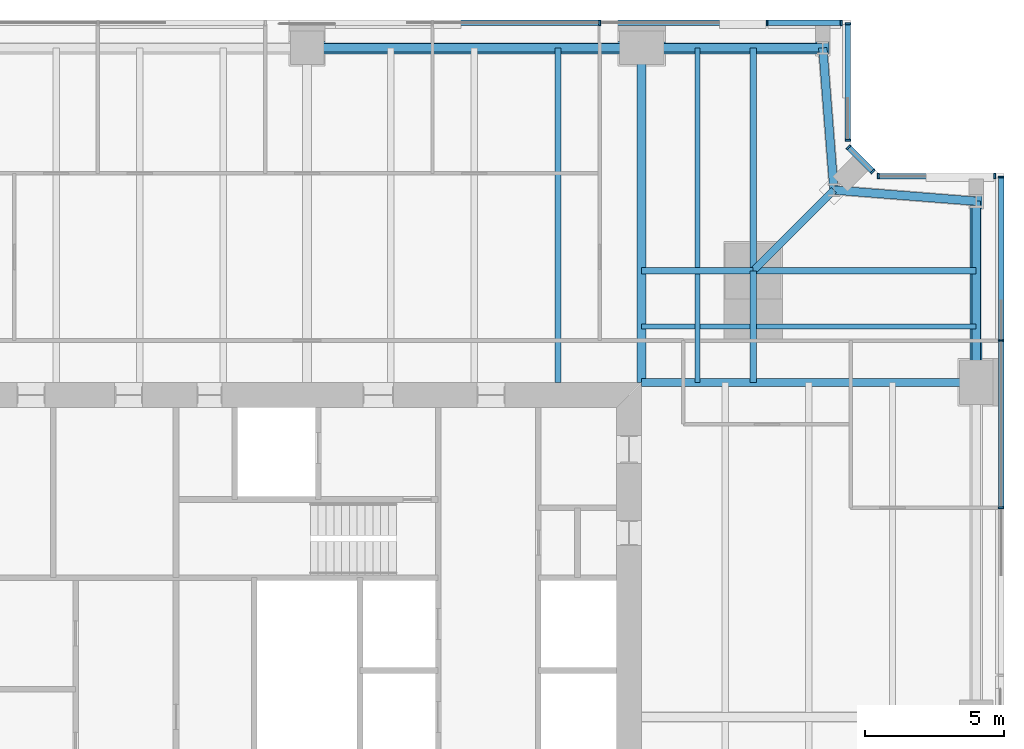
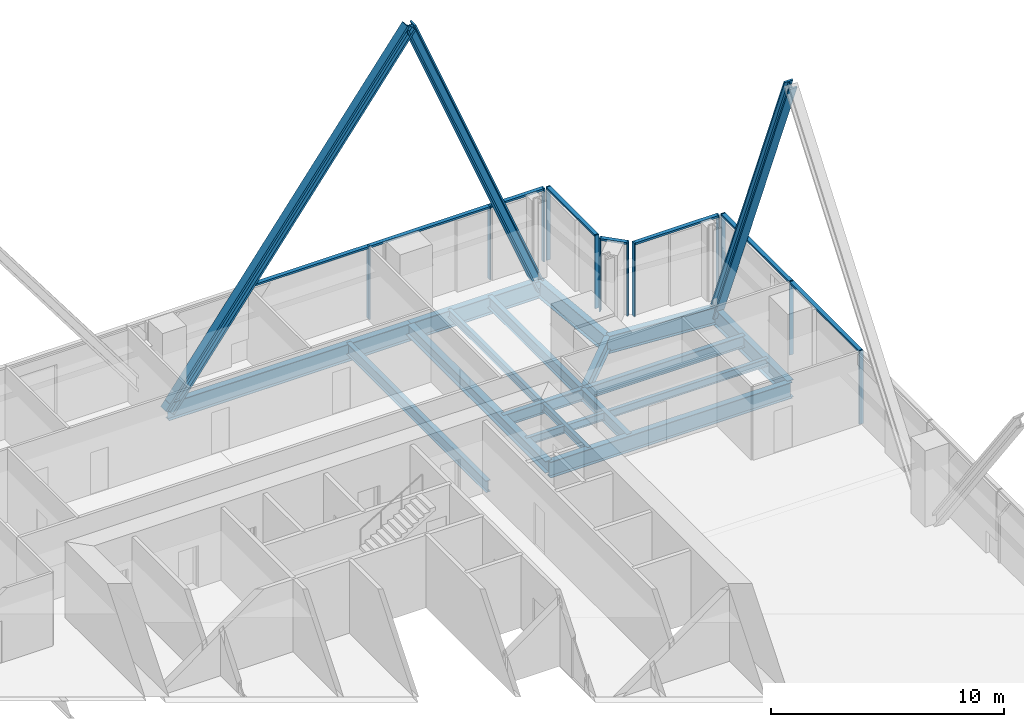
# One storey, part 7 of 14: 23 members, 18 beams, 5 elements without a shape of their own.
"""IFC4 building model written with IfcOpenShell, lengths in metres."""

from ifc_helpers import new_model, si_unit, direction, frame, origin, origin_2d, place, context, subcontext, project, spatial, rectangle, i_section, extrude, material, material_profile, profile_set, type_object, element, aggregate, save


model = new_model("IFC4")

# Units and contexts
model_context = context("Model", 3, precision=1e-05, world=origin(), true_north=direction((0.0, 1.0)))
body_context = subcontext(model_context, "Body", "Model", "MODEL_VIEW")
ifc_project = project(units=[si_unit("LENGTHUNIT", "METRE"), si_unit("AREAUNIT", "SQUARE_METRE"), si_unit("VOLUMEUNIT", "CUBIC_METRE"), si_unit("PLANEANGLEUNIT", "RADIAN"), si_unit("MASSUNIT", "GRAM", prefix="KILO")], contexts=[model_context])

# Site, building, storey
site_placement = place(None, origin())
site = spatial("IfcSite", under=ifc_project, at=site_placement, CompositionType="ELEMENT")
building_placement = place(site_placement, origin())
building = spatial("IfcBuilding", under=site, at=building_placement, Name="Fenwick Lantern Interchange", CompositionType="ELEMENT")
storey_placement = place(building_placement, frame((0.0, 0.0, 185.800048828125)))
storey = spatial("IfcBuildingStorey", under=building, at=storey_placement, Name="L43", CompositionType="ELEMENT", Elevation=185.800048828125)

# Beams
ifc_material_1 = material(Name="Steel ASTM A992 Grade 50", Category="steel")
ifc_material_profile_1 = material_profile(ifc_material_1, i_section(OverallWidth=0.3046875, OverallDepth=0.911865234375, WebThickness=0.015869140625, FlangeThickness=0.02392578125, at=origin_2d()), Name="W36X150")
ifc_profile_set_1 = profile_set([ifc_material_profile_1], Name="Steel ASTM A992 Grade 50")
beam_type_1 = type_object("IfcBeamType", Name="EDGE BEAM W36X150", PredefinedType="SPANDREL", material=ifc_profile_set_1)
beam_1_placement = place(storey_placement, frame((49.0, 37.0, -0.60595703125), z_axis=(0.0, 1.0, 0.0), x_axis=(-1.0, 0.0, 0.0)))
element("IfcBeam", 1, at=beam_1_placement, inside=storey, type_object=beam_type_1, Name="L43/FR/E/EB4", PredefinedType="SPANDREL", context=body_context, shape_type="SweptSolid", body=[
    extrude(i_section(OverallWidth=0.3046875, OverallDepth=0.911865234375, WebThickness=0.015869140625, FlangeThickness=0.02392578125, at=origin_2d()), origin(), (0.0, 0.0, 1.0), 6.5),
])
for number, where, z_axis, x_axis, name in (
    (2, (49.0, 43.5, -0.60595703125), (-0.99693998236, 0.078170784639, 0.0), (-0.078170784639, -0.99693998236, 0.0), "L43/FR/E/EBR1"),
    (3, (43.89990234375, 43.89990234375, -0.60595703125), (-0.078170784639, 0.99693998236, 0.0), (-0.99693998236, -0.078170784639, 0.0), "L43/FR/E/EBR2"),
):
    element("IfcBeam", number, at=place(storey_placement, frame(where, z_axis=z_axis, x_axis=x_axis)), inside=storey, type_object=beam_type_1, Name=name, PredefinedType="SPANDREL", context=body_context, shape_type="SweptSolid", body=[
        extrude(i_section(OverallWidth=0.3046875, OverallDepth=0.911865234375, WebThickness=0.015869140625, FlangeThickness=0.02392578125, at=origin_2d()), origin(), (0.0, 0.0, 1.0), 5.11572265625),
    ])
beam_2_placement = place(storey_placement, frame((43.5, 49.0, -0.60595703125), z_axis=(-1.0, 0.0, 0.0), x_axis=(0.0, -1.0, 0.0)))
element("IfcBeam", 4, at=beam_2_placement, inside=storey, type_object=beam_type_1, Name="L43/FR/N/EB1", PredefinedType="SPANDREL", context=body_context, shape_type="SweptSolid", body=[
    extrude(i_section(OverallWidth=0.3046875, OverallDepth=0.911865234375, WebThickness=0.015869140625, FlangeThickness=0.02392578125, at=origin_2d()), origin(), (0.0, 0.0, 1.0), 6.5),
])
beam_3_placement = place(storey_placement, frame((37.0, 49.0, -0.60595703125), z_axis=(-1.0, 0.0, 0.0), x_axis=(0.0, -1.0, 0.0)))
element("IfcBeam", 5, at=beam_3_placement, inside=storey, type_object=beam_type_1, Name="L43/FR/N/EB2", PredefinedType="SPANDREL", context=body_context, shape_type="SweptSolid", body=[
    extrude(i_section(OverallWidth=0.3046875, OverallDepth=0.911865234375, WebThickness=0.015869140625, FlangeThickness=0.02392578125, at=origin_2d()), origin(), (0.0, 0.0, 1.0), 12.0),
])

# Members
ifc_material_profile_2 = material_profile(ifc_material_1, i_section(OverallWidth=0.424072265625, OverallDepth=0.47509765625, WebThickness=0.0478515625, FlangeThickness=0.0771484375, at=origin_2d()), Name="W14X426")
ifc_profile_set_2 = profile_set([ifc_material_profile_2], Name="Steel ASTM A992 Grade 50")
member_type_1 = type_object("IfcMemberType", Name="FACADE BRACE W14X426", PredefinedType="BRACE", material=ifc_profile_set_2)
for number, where, z_axis, x_axis, name in (
    (6, (49.0, 43.5, -0.60595703125), (0.0, -0.376377046956, 0.926466577122), (1.0, 0.0, 0.0), "L43/FB/E/BE"),
    (7, (43.5, 49.0, -0.60595703125), (-0.376377046956, 0.0, 0.926466577122), (0.0, -1.0, 0.0), "L43/FB/N/AE"),
):
    element("IfcMember", number, at=place(storey_placement, frame(where, z_axis=z_axis, x_axis=x_axis)), inside=storey, type_object=member_type_1, Name=name, PredefinedType="BRACE", context=body_context, shape_type="SweptSolid", body=[
        extrude(i_section(OverallWidth=0.424072265625, OverallDepth=0.47509765625, WebThickness=0.0478515625, FlangeThickness=0.0771484375, at=origin_2d()), origin(), (0.0, 0.0, 1.0), 17.27001953125),
    ])
ifc_material_profile_3 = material_profile(ifc_material_1, i_section(OverallWidth=0.44189453125, OverallDepth=0.53076171875, WebThickness=0.06591796875, FlangeThickness=0.105712890625, at=origin_2d()), Name="W14X605")
ifc_profile_set_3 = profile_set([ifc_material_profile_3], Name="Steel ASTM A992 Grade 50")
member_type_2 = type_object("IfcMemberType", Name="FACADE BRACE W14X605", PredefinedType="BRACE", material=ifc_profile_set_3)
member_1_placement = place(storey_placement, frame((25.0, 49.0, -0.60595703125), z_axis=(0.6, 0.0, 0.8), x_axis=(0.0, 1.0, 0.0)))
element("IfcMember", 8, at=member_1_placement, inside=storey, type_object=member_type_2, Name="L43/FB/N/A", PredefinedType="BRACE", context=body_context, shape_type="SweptSolid", body=[
    extrude(i_section(OverallWidth=0.44189453125, OverallDepth=0.53076171875, WebThickness=0.06591796875, FlangeThickness=0.105712890625, at=origin_2d()), origin(), (0.0, 0.0, 1.0), 20.0),
])

# Beams
ifc_material_profile_4 = material_profile(ifc_material_1, i_section(OverallWidth=0.22900390625, OverallDepth=0.612060546875, WebThickness=0.011962890625, FlangeThickness=0.01953125, at=origin_2d()), Name="W24X84")
ifc_profile_set_4 = profile_set([ifc_material_profile_4], Name="Steel ASTM A992 Grade 50")
beam_type_2 = type_object("IfcBeamType", Name="FLOOR BEAM W24X84", PredefinedType="BEAM", material=ifc_profile_set_4)
beam_4_placement = place(storey_placement, frame((34.0, 49.0, -0.4560546875), z_axis=(0.0, -1.0, 0.0), x_axis=(1.0, 0.0, 0.0)))
element("IfcBeam", 9, at=beam_4_placement, inside=storey, type_object=beam_type_2, Name="L43/FR/N/R02", PredefinedType="BEAM", context=body_context, shape_type="SweptSolid", body=[
    extrude(i_section(OverallWidth=0.22900390625, OverallDepth=0.612060546875, WebThickness=0.011962890625, FlangeThickness=0.01953125, at=origin_2d()), origin(), (0.0, 0.0, 1.0), 12.0),
])
ifc_material_profile_5 = material_profile(ifc_material_1, i_section(OverallWidth=0.177734375, OverallDepth=0.406494140625, WebThickness=0.0078125, FlangeThickness=0.012939453125, at=origin_2d()), Name="W16X40")
ifc_profile_set_5 = profile_set([ifc_material_profile_5], Name="Steel ASTM A992 Grade 50")
beam_type_3 = type_object("IfcBeamType", Name="INFILL BEAM W16X40", PredefinedType="JOIST", material=ifc_profile_set_5)
beam_5_placement = place(storey_placement, frame((39.0, 49.0, -0.353271484375), z_axis=(0.0, -1.0, 0.0), x_axis=(1.0, 0.0, 0.0)))
element("IfcBeam", 10, at=beam_5_placement, inside=storey, type_object=beam_type_3, Name="L43/FR/N/J1", PredefinedType="JOIST", context=body_context, shape_type="SweptSolid", body=[
    extrude(i_section(OverallWidth=0.177734375, OverallDepth=0.406494140625, WebThickness=0.0078125, FlangeThickness=0.012939453125, at=origin_2d()), origin(), (0.0, 0.0, 1.0), 7.885498046875),
])
beam_6_placement = place(storey_placement, frame((39.0, 40.885498046875, -0.353271484375), z_axis=(0.0, -1.0, 0.0), x_axis=(1.0, 0.0, 0.0)))
element("IfcBeam", 11, at=beam_6_placement, inside=storey, type_object=beam_type_3, Name="L43/FR/N/J2", PredefinedType="JOIST", context=body_context, shape_type="SweptSolid", body=[
    extrude(i_section(OverallWidth=0.177734375, OverallDepth=0.406494140625, WebThickness=0.0078125, FlangeThickness=0.012939453125, at=origin_2d()), origin(), (0.0, 0.0, 1.0), 3.885498046875),
])
beam_7_placement = place(storey_placement, frame((49.0, 39.0, -0.353271484375), z_axis=(-1.0, 0.0, 0.0), x_axis=(0.0, -1.0, 0.0)))
element("IfcBeam", 12, at=beam_7_placement, inside=storey, type_object=beam_type_3, Name="L43/FR/N/J3", PredefinedType="JOIST", context=body_context, shape_type="SweptSolid", body=[
    extrude(i_section(OverallWidth=0.177734375, OverallDepth=0.406494140625, WebThickness=0.0078125, FlangeThickness=0.012939453125, at=origin_2d()), origin(), (0.0, 0.0, 1.0), 7.885498046875),
])
beam_8_placement = place(storey_placement, frame((40.885498046875, 39.0, -0.353271484375), z_axis=(-1.0, 0.0, 0.0), x_axis=(0.0, -1.0, 0.0)))
element("IfcBeam", 13, at=beam_8_placement, inside=storey, type_object=beam_type_3, Name="L43/FR/N/J4", PredefinedType="JOIST", context=body_context, shape_type="SweptSolid", body=[
    extrude(i_section(OverallWidth=0.177734375, OverallDepth=0.406494140625, WebThickness=0.0078125, FlangeThickness=0.012939453125, at=origin_2d()), origin(), (0.0, 0.0, 1.0), 1.796630859375),
])
beam_9_placement = place(storey_placement, frame((38.9111328125, 39.0, -0.353271484375), z_axis=(-1.0, 0.0, 0.0), x_axis=(0.0, -1.0, 0.0)))
element("IfcBeam", 14, at=beam_9_placement, inside=storey, type_object=beam_type_3, Name="L43/FR/N/J5", PredefinedType="JOIST", context=body_context, shape_type="SweptSolid", body=[
    extrude(i_section(OverallWidth=0.177734375, OverallDepth=0.406494140625, WebThickness=0.0078125, FlangeThickness=0.012939453125, at=origin_2d()), origin(), (0.0, 0.0, 1.0), 1.9111328125),
])
ifc_material_profile_6 = material_profile(ifc_material_1, i_section(OverallWidth=0.22900390625, OverallDepth=0.612060546875, WebThickness=0.011962890625, FlangeThickness=0.01953125, at=origin_2d()), Name="W24X84")
ifc_profile_set_6 = profile_set([ifc_material_profile_6], Name="Steel ASTM A992 Grade 50")
beam_type_4 = type_object("IfcBeamType", Name="MEGA COLUMN BEAM W24X84", PredefinedType="BEAM", material=ifc_profile_set_6)
for number, where, z_axis, x_axis, name in (
    (15, (41.0, 41.0, -0.4560546875), (0.0, 1.0, 0.0), (-1.0, 0.0, 0.0), "L43/FR/N/MB1"),
    (16, (41.0, 41.0, -0.4560546875), (1.0, 0.0, 0.0), (0.0, 1.0, 0.0), "L43/FR/N/MB2"),
):
    element("IfcBeam", number, at=place(storey_placement, frame(where, z_axis=z_axis, x_axis=x_axis)), inside=storey, type_object=beam_type_4, Name=name, PredefinedType="BEAM", context=body_context, shape_type="SweptSolid", body=[
        extrude(i_section(OverallWidth=0.22900390625, OverallDepth=0.612060546875, WebThickness=0.011962890625, FlangeThickness=0.01953125, at=origin_2d()), origin(), (0.0, 0.0, 1.0), 8.0),
    ])
for number, where, z_axis, x_axis, name in (
    (17, (41.0, 41.0, -0.4560546875), (-1.0, 0.0, 0.0), (0.0, -1.0, 0.0), "L43/FR/N/MB3"),
    (18, (41.0, 41.0, -0.4560546875), (0.0, -1.0, 0.0), (1.0, 0.0, 0.0), "L43/FR/N/MB4"),
):
    element("IfcBeam", number, at=place(storey_placement, frame(where, z_axis=z_axis, x_axis=x_axis)), inside=storey, type_object=beam_type_4, Name=name, PredefinedType="BEAM", context=body_context, shape_type="SweptSolid", body=[
        extrude(i_section(OverallWidth=0.22900390625, OverallDepth=0.612060546875, WebThickness=0.011962890625, FlangeThickness=0.01953125, at=origin_2d()), origin(), (0.0, 0.0, 1.0), 4.0),
    ])
ifc_material_profile_7 = material_profile(ifc_material_1, i_section(OverallWidth=0.32763671875, OverallDepth=0.622314453125, WebThickness=0.015380859375, FlangeThickness=0.0244140625, at=origin_2d()), Name="W24X131")
ifc_profile_set_7 = profile_set([ifc_material_profile_7], Name="Steel ASTM A992 Grade 50")
beam_type_5 = type_object("IfcBeamType", Name="MOMENT-CONNECTED GIRDER W24X131", PredefinedType="BEAM", material=ifc_profile_set_7)
beam_10_placement = place(storey_placement, frame((37.0, 49.0, -0.461181640625), z_axis=(0.0, -1.0, 0.0), x_axis=(1.0, 0.0, 0.0)))
element("IfcBeam", 19, at=beam_10_placement, inside=storey, type_object=beam_type_5, Name="L43/FR/N/R01", PredefinedType="BEAM", context=body_context, shape_type="SweptSolid", body=[
    extrude(i_section(OverallWidth=0.32763671875, OverallDepth=0.622314453125, WebThickness=0.015380859375, FlangeThickness=0.0244140625, at=origin_2d()), origin(), (0.0, 0.0, 1.0), 12.0),
])
ifc_material_profile_8 = material_profile(ifc_material_1, i_section(OverallWidth=0.2919921875, OverallDepth=0.845703125, WebThickness=0.015380859375, FlangeThickness=0.0244140625, at=origin_2d()), Name="W33X141")
ifc_profile_set_8 = profile_set([ifc_material_profile_8], Name="Steel ASTM A992 Grade 50")
beam_type_6 = type_object("IfcBeamType", Name="MOMENT-CONNECTED GIRDER W33X141", PredefinedType="BEAM", material=ifc_profile_set_8)
beam_11_placement = place(storey_placement, frame((49.0, 37.0, -0.572998046875), z_axis=(-1.0, 0.0, 0.0), x_axis=(0.0, -1.0, 0.0)))
element("IfcBeam", 20, at=beam_11_placement, inside=storey, type_object=beam_type_6, Name="L43/FR/E/R03", PredefinedType="BEAM", context=body_context, shape_type="SweptSolid", body=[
    extrude(i_section(OverallWidth=0.2919921875, OverallDepth=0.845703125, WebThickness=0.015380859375, FlangeThickness=0.0244140625, at=origin_2d()), origin(), (0.0, 0.0, 1.0), 12.0),
])
ifc_material_profile_9 = material_profile(ifc_material_1, i_section(OverallWidth=0.2666015625, OverallDepth=0.7568359375, WebThickness=0.013916015625, FlangeThickness=0.019287109375, at=origin_2d()), Name="W30X108")
ifc_profile_set_9 = profile_set([ifc_material_profile_9], Name="Steel ASTM A992 Grade 50")
beam_type_7 = type_object("IfcBeamType", Name="NOTCH BEAM W30X108", PredefinedType="BEAM", material=ifc_profile_set_9)
beam_12_placement = place(storey_placement, frame((41.0, 41.0, -0.528564453125), z_axis=(0.707106781187, 0.707106781187, 0.0), x_axis=(-0.707106781187, 0.707106781187, 0.0)))
element("IfcBeam", 21, at=beam_12_placement, inside=storey, type_object=beam_type_7, Name="L43/FR/N/TG", PredefinedType="BEAM", context=body_context, shape_type="SweptSolid", body=[
    extrude(i_section(OverallWidth=0.2666015625, OverallDepth=0.7568359375, WebThickness=0.013916015625, FlangeThickness=0.019287109375, at=origin_2d()), origin(), (0.0, 0.0, 1.0), 4.10107421875),
])

# Curtain wall, members
ifc_material_2 = material(Name="Aluminium curtain wall frame", Category="aluminium")
curtain_wall_type = type_object("IfcCurtainWallType", Name="OFFICE CURTAIN WALL", PredefinedType="USERDEFINED", material=ifc_material_2)
curtain_wall_1_placement = place(storey_placement, origin())
curtain_wall_1 = element("IfcCurtainWall", 22, at=curtain_wall_1_placement, inside=storey, type_object=curtain_wall_type, Name="Office curtain wall 05", ObjectType="OFFICE CURTAIN WALL", PredefinedType="USERDEFINED")
ifc_material_3 = material(Name="Aluminium extrusion", Category="aluminium")
ifc_material_profile_10 = material_profile(ifc_material_3, rectangle(XDim=0.199951171875, YDim=0.06494140625, at=origin_2d()), Name="OFFICE CURTAIN WALL MULLION 65 X 200")
ifc_profile_set_10 = profile_set([ifc_material_profile_10], Name="Aluminium extrusion")
member_type_3 = type_object("IfcMemberType", Name="OFFICE CURTAIN WALL MULLION 65 X 200", PredefinedType="MULLION", material=ifc_profile_set_10)
member_2_placement = place(storey_placement, frame((49.89990234375, 32.5, 0.0), z_axis=(0.0, 0.0, 1.0), x_axis=(-1.0, 0.0, 0.0)))
member_2 = element("IfcMember", 23, at=member_2_placement, type_object=member_type_3, Name="L43/CW/05/M05", PredefinedType="MULLION", context=body_context, shape_type="SweptSolid", body=[
    extrude(rectangle(XDim=0.199951171875, YDim=0.06494140625, at=origin_2d()), origin(), (0.0, 0.0, 1.0), 3.849853515625),
])
member_3_placement = place(storey_placement, frame((49.89990234375, 38.5, 0.0), z_axis=(0.0, 0.0, 1.0), x_axis=(-1.0, 0.0, 0.0)))
member_3 = element("IfcMember", 24, at=member_3_placement, type_object=member_type_3, Name="L43/CW/05/M06", PredefinedType="MULLION", context=body_context, shape_type="SweptSolid", body=[
    extrude(rectangle(XDim=0.199951171875, YDim=0.06494140625, at=origin_2d()), origin(), (0.0, 0.0, 1.0), 3.849853515625),
])
member_4_placement = place(storey_placement, frame((49.89990234375, 44.367431640625, 0.0), z_axis=(0.0, 0.0, 1.0), x_axis=(-1.0, 0.0, 0.0)))
member_4 = element("IfcMember", 25, at=member_4_placement, type_object=member_type_3, Name="L43/CW/05/M07", PredefinedType="MULLION", context=body_context, shape_type="SweptSolid", body=[
    extrude(rectangle(XDim=0.199951171875, YDim=0.06494140625, at=origin_2d()), origin(), (0.0, 0.0, 1.0), 3.849853515625),
])

curtain_wall_2_placement = place(storey_placement, origin())
curtain_wall_2 = element("IfcCurtainWall", 26, at=curtain_wall_2_placement, inside=storey, type_object=curtain_wall_type, Name="Office curtain wall 06", ObjectType="OFFICE CURTAIN WALL", PredefinedType="USERDEFINED")
member_5_placement = place(storey_placement, frame((49.66748046875, 44.39990234375, 0.0), z_axis=(0.0, 0.0, 1.0), x_axis=(0.0, -1.0, 0.0)))
member_5 = element("IfcMember", 27, at=member_5_placement, type_object=member_type_3, Name="L43/CW/06/M00", PredefinedType="MULLION", context=body_context, shape_type="SweptSolid", body=[
    extrude(rectangle(XDim=0.199951171875, YDim=0.06494140625, at=origin_2d()), origin(), (0.0, 0.0, 1.0), 3.849853515625),
])
member_6_placement = place(storey_placement, frame((45.490966796875, 44.39990234375, 0.0), z_axis=(0.0, 0.0, 1.0), x_axis=(0.0, -1.0, 0.0)))
member_6 = element("IfcMember", 28, at=member_6_placement, type_object=member_type_3, Name="L43/CW/06/M01", PredefinedType="MULLION", context=body_context, shape_type="SweptSolid", body=[
    extrude(rectangle(XDim=0.199951171875, YDim=0.06494140625, at=origin_2d()), origin(), (0.0, 0.0, 1.0), 3.849853515625),
])

curtain_wall_3_placement = place(storey_placement, origin())
curtain_wall_3 = element("IfcCurtainWall", 29, at=curtain_wall_3_placement, inside=storey, type_object=curtain_wall_type, Name="Office curtain wall 07", ObjectType="OFFICE CURTAIN WALL", PredefinedType="USERDEFINED")
member_7_placement = place(storey_placement, frame((45.294189453125, 44.564453125, 0.0), z_axis=(0.0, 0.0, 1.0), x_axis=(-0.707106781187, -0.707106781187, 0.0)))
member_7 = element("IfcMember", 30, at=member_7_placement, type_object=member_type_3, Name="L43/CW/07/M00", PredefinedType="MULLION", context=body_context, shape_type="SweptSolid", body=[
    extrude(rectangle(XDim=0.199951171875, YDim=0.06494140625, at=origin_2d()), origin(), (0.0, 0.0, 1.0), 3.849853515625),
])
member_8_placement = place(storey_placement, frame((44.423095703125, 45.435546875, 0.0), z_axis=(0.0, 0.0, 1.0), x_axis=(-0.707106781187, -0.707106781187, 0.0)))
member_8 = element("IfcMember", 31, at=member_8_placement, type_object=member_type_3, Name="L43/CW/07/M01", PredefinedType="MULLION", context=body_context, shape_type="SweptSolid", body=[
    extrude(rectangle(XDim=0.199951171875, YDim=0.06494140625, at=origin_2d()), origin(), (0.0, 0.0, 1.0), 3.849853515625),
])

curtain_wall_4_placement = place(storey_placement, origin())
curtain_wall_4 = element("IfcCurtainWall", 32, at=curtain_wall_4_placement, inside=storey, type_object=curtain_wall_type, Name="Office curtain wall 08", ObjectType="OFFICE CURTAIN WALL", PredefinedType="USERDEFINED")
member_9_placement = place(storey_placement, frame((44.39990234375, 45.691162109375, 0.0), z_axis=(0.0, 0.0, 1.0), x_axis=(-1.0, 0.0, 0.0)))
member_9 = element("IfcMember", 33, at=member_9_placement, type_object=member_type_3, Name="L43/CW/08/M00", PredefinedType="MULLION", context=body_context, shape_type="SweptSolid", body=[
    extrude(rectangle(XDim=0.199951171875, YDim=0.06494140625, at=origin_2d()), origin(), (0.0, 0.0, 1.0), 3.849853515625),
])
member_10_placement = place(storey_placement, frame((44.39990234375, 49.867431640625, 0.0), z_axis=(0.0, 0.0, 1.0), x_axis=(-1.0, 0.0, 0.0)))
member_10 = element("IfcMember", 34, at=member_10_placement, type_object=member_type_3, Name="L43/CW/08/M01", PredefinedType="MULLION", context=body_context, shape_type="SweptSolid", body=[
    extrude(rectangle(XDim=0.199951171875, YDim=0.06494140625, at=origin_2d()), origin(), (0.0, 0.0, 1.0), 3.849853515625),
])

curtain_wall_5_placement = place(storey_placement, origin())
curtain_wall_5 = element("IfcCurtainWall", 35, at=curtain_wall_5_placement, inside=storey, type_object=curtain_wall_type, Name="Office curtain wall 09", ObjectType="OFFICE CURTAIN WALL", PredefinedType="USERDEFINED")
member_11_placement = place(storey_placement, frame((44.16748046875, 49.89990234375, 0.0), z_axis=(0.0, 0.0, 1.0), x_axis=(0.0, -1.0, 0.0)))
member_11 = element("IfcMember", 36, at=member_11_placement, type_object=member_type_3, Name="L43/CW/09/M00", PredefinedType="MULLION", context=body_context, shape_type="SweptSolid", body=[
    extrude(rectangle(XDim=0.199951171875, YDim=0.06494140625, at=origin_2d()), origin(), (0.0, 0.0, 1.0), 3.849853515625),
])
member_12_placement = place(storey_placement, frame((41.5, 49.89990234375, 0.0), z_axis=(0.0, 0.0, 1.0), x_axis=(0.0, -1.0, 0.0)))
member_12 = element("IfcMember", 37, at=member_12_placement, type_object=member_type_3, Name="L43/CW/09/M01", PredefinedType="MULLION", context=body_context, shape_type="SweptSolid", body=[
    extrude(rectangle(XDim=0.199951171875, YDim=0.06494140625, at=origin_2d()), origin(), (0.0, 0.0, 1.0), 3.849853515625),
])
member_13_placement = place(storey_placement, frame((35.5, 49.89990234375, 0.0), z_axis=(0.0, 0.0, 1.0), x_axis=(0.0, -1.0, 0.0)))
member_13 = element("IfcMember", 38, at=member_13_placement, type_object=member_type_3, Name="L43/CW/09/M02", PredefinedType="MULLION", context=body_context, shape_type="SweptSolid", body=[
    extrude(rectangle(XDim=0.199951171875, YDim=0.06494140625, at=origin_2d()), origin(), (0.0, 0.0, 1.0), 3.849853515625),
])

# Member
ifc_material_profile_11 = material_profile(ifc_material_3, rectangle(XDim=0.199951171875, YDim=0.10009765625, at=origin_2d()), Name="OFFICE CURTAIN WALL TRANSOM 100 X 200")
ifc_profile_set_11 = profile_set([ifc_material_profile_11], Name="Aluminium extrusion")
member_type_4 = type_object("IfcMemberType", Name="OFFICE CURTAIN WALL TRANSOM 100 X 200", PredefinedType="MULLION", material=ifc_profile_set_11)
member_14_placement = place(storey_placement, frame((49.89990234375, 32.532470703125, 3.800048828125), z_axis=(0.0, 1.0, 0.0), x_axis=(-1.0, 0.0, 0.0)))
member_14 = element("IfcMember", 39, at=member_14_placement, type_object=member_type_4, Name="L43/CW/05/T05", PredefinedType="MULLION", context=body_context, shape_type="SweptSolid", body=[
    extrude(rectangle(XDim=0.199951171875, YDim=0.10009765625, at=origin_2d()), origin(), (0.0, 0.0, 1.0), 5.93505859375),
])

member_15_placement = place(storey_placement, frame((49.89990234375, 38.532470703125, 3.800048828125), z_axis=(0.0, 1.0, 0.0), x_axis=(-1.0, 0.0, 0.0)))
member_15 = element("IfcMember", 40, at=member_15_placement, type_object=member_type_4, Name="L43/CW/05/T06", PredefinedType="MULLION", context=body_context, shape_type="SweptSolid", body=[
    extrude(rectangle(XDim=0.199951171875, YDim=0.10009765625, at=origin_2d()), origin(), (0.0, 0.0, 1.0), 5.802490234375),
])

aggregate(curtain_wall_1, [member_2, member_3, member_4, member_14, member_15])

member_16_placement = place(storey_placement, frame((49.635009765625, 44.39990234375, 3.800048828125), z_axis=(-1.0, 0.0, 0.0), x_axis=(0.0, -1.0, 0.0)))
member_16 = element("IfcMember", 41, at=member_16_placement, type_object=member_type_4, Name="L43/CW/06/T00", PredefinedType="MULLION", context=body_context, shape_type="SweptSolid", body=[
    extrude(rectangle(XDim=0.199951171875, YDim=0.10009765625, at=origin_2d()), origin(), (0.0, 0.0, 1.0), 4.111328125),
])

aggregate(curtain_wall_2, [member_5, member_6, member_16])

member_17_placement = place(storey_placement, frame((45.271240234375, 44.58740234375, 3.800048828125), z_axis=(-0.707106781187, 0.707106781187, 0.0), x_axis=(-0.707106781187, -0.707106781187, 0.0)))
member_17 = element("IfcMember", 42, at=member_17_placement, type_object=member_type_4, Name="L43/CW/07/T00", PredefinedType="MULLION", context=body_context, shape_type="SweptSolid", body=[
    extrude(rectangle(XDim=0.199951171875, YDim=0.10009765625, at=origin_2d()), origin(), (0.0, 0.0, 1.0), 1.1669921875),
])

aggregate(curtain_wall_3, [member_7, member_8, member_17])

member_18_placement = place(storey_placement, frame((44.39990234375, 45.7236328125, 3.800048828125), z_axis=(0.0, 1.0, 0.0), x_axis=(-1.0, 0.0, 0.0)))
member_18 = element("IfcMember", 43, at=member_18_placement, type_object=member_type_4, Name="L43/CW/08/T00", PredefinedType="MULLION", context=body_context, shape_type="SweptSolid", body=[
    extrude(rectangle(XDim=0.199951171875, YDim=0.10009765625, at=origin_2d()), origin(), (0.0, 0.0, 1.0), 4.111328125),
])

aggregate(curtain_wall_4, [member_9, member_10, member_18])

member_19_placement = place(storey_placement, frame((44.135009765625, 49.89990234375, 3.800048828125), z_axis=(-1.0, 0.0, 0.0), x_axis=(0.0, -1.0, 0.0)))
member_19 = element("IfcMember", 44, at=member_19_placement, type_object=member_type_4, Name="L43/CW/09/T00", PredefinedType="MULLION", context=body_context, shape_type="SweptSolid", body=[
    extrude(rectangle(XDim=0.199951171875, YDim=0.10009765625, at=origin_2d()), origin(), (0.0, 0.0, 1.0), 2.6025390625),
])

member_20_placement = place(storey_placement, frame((41.467529296875, 49.89990234375, 3.800048828125), z_axis=(-1.0, 0.0, 0.0), x_axis=(0.0, -1.0, 0.0)))
member_20 = element("IfcMember", 45, at=member_20_placement, type_object=member_type_4, Name="L43/CW/09/T01", PredefinedType="MULLION", context=body_context, shape_type="SweptSolid", body=[
    extrude(rectangle(XDim=0.199951171875, YDim=0.10009765625, at=origin_2d()), origin(), (0.0, 0.0, 1.0), 5.93505859375),
])

member_21_placement = place(storey_placement, frame((35.467529296875, 49.89990234375, 3.800048828125), z_axis=(-1.0, 0.0, 0.0), x_axis=(0.0, -1.0, 0.0)))
member_21 = element("IfcMember", 46, at=member_21_placement, type_object=member_type_4, Name="L43/CW/09/T02", PredefinedType="MULLION", context=body_context, shape_type="SweptSolid", body=[
    extrude(rectangle(XDim=0.199951171875, YDim=0.10009765625, at=origin_2d()), origin(), (0.0, 0.0, 1.0), 5.93505859375),
])

aggregate(curtain_wall_5, [member_11, member_12, member_13, member_19, member_20, member_21])

save(model, "model.ifc")
